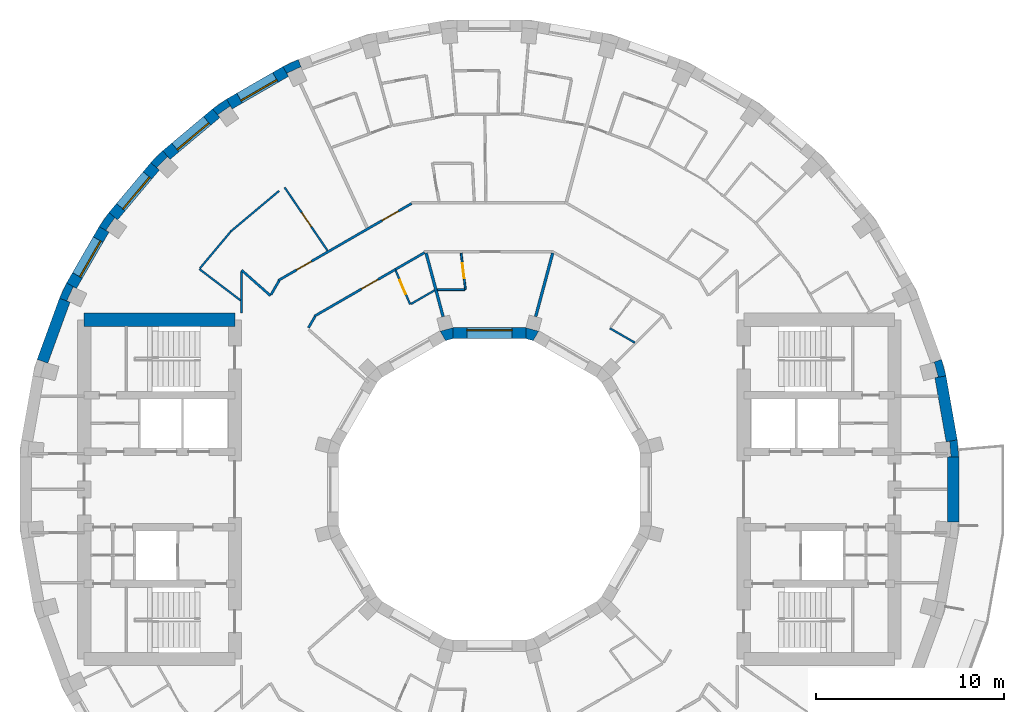
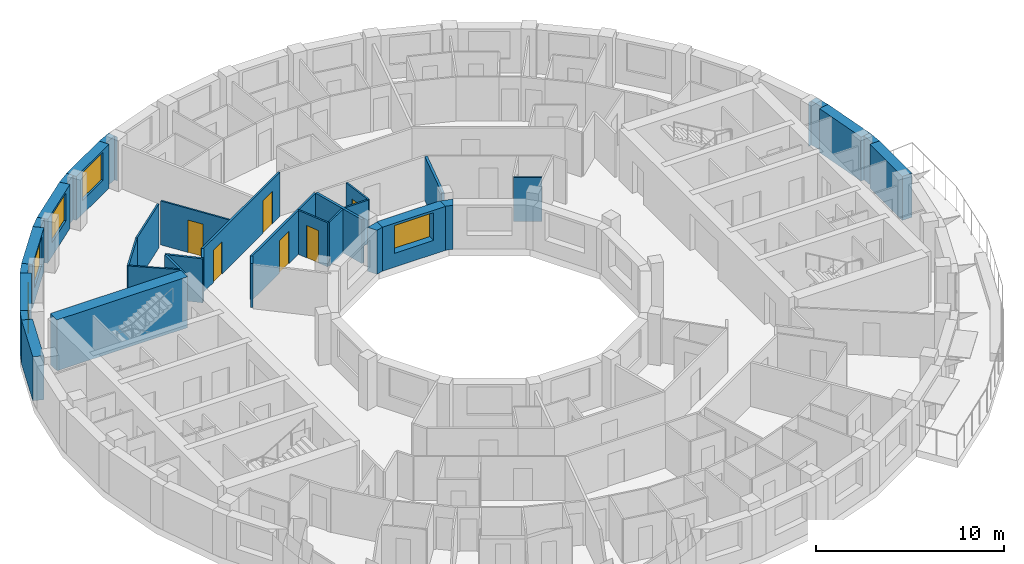
# One storey, part 10 of 14: 36 walls, 6 doors, 5 windows, 11 openings.
"""IFC4 building model written with IfcOpenShell, lengths in metres."""

from ifc_helpers import new_model, si_unit, direction, frame, frame_2d, origin, place, context, subcontext, project, spatial, polyline, rectangle, outline, extrude, material, layer, layer_set, type_object, element, fill, save


model = new_model("IFC4")

# Units and contexts
model_context = context("Model", 3, precision=1e-05, world=origin(), true_north=direction((0.0, 1.0)))
body_context = subcontext(model_context, "Body", "Model", "MODEL_VIEW")
ifc_project = project(units=[si_unit("LENGTHUNIT", "METRE"), si_unit("AREAUNIT", "SQUARE_METRE"), si_unit("VOLUMEUNIT", "CUBIC_METRE"), si_unit("PLANEANGLEUNIT", "RADIAN"), si_unit("MASSUNIT", "GRAM", prefix="KILO")], contexts=[model_context])

# Site, building, storey
site_placement = place(None, origin())
site = spatial("IfcSite", under=ifc_project, at=site_placement, CompositionType="ELEMENT")
building_placement = place(site_placement, origin())
building = spatial("IfcBuilding", under=site, at=building_placement, Name="Saqina Gate Tower", CompositionType="ELEMENT")
storey_placement = place(building_placement, frame((0.0, 0.0, 170.699951171875)))
storey = spatial("IfcBuildingStorey", under=building, at=storey_placement, Name="L48", CompositionType="ELEMENT", Elevation=170.699951171875)

# Walls
ifc_material_1 = material(Name="Brick masonry (buff)", Category="masonry")
wall_type_1 = type_object("IfcWallType", Name="BRICK PIER COPING BUFF", PredefinedType="SOLIDWALL", material=ifc_material_1)
wall_1_placement = place(storey_placement, origin())
element("IfcWall", 1, at=wall_1_placement, inside=storey, type_object=wall_type_1, Name="Pier cap L48 column 1", PredefinedType="SOLIDWALL", context=body_context, shape_type="SweptSolid", body=[
    extrude(outline(polyline([(24.90478515625, 1.724853515625), (24.825927734375, 2.6259765625), (24.235107421875, 2.521728515625), (24.421630859375, 2.5380859375), (24.491455078125, 1.7412109375), (24.304931640625, 1.724853515625), (24.90478515625, 1.724853515625)])), origin(), (0.0, 0.0, 1.0), 2.85009765625),
])
wall_2_placement = place(storey_placement, origin())
element("IfcWall", 2, at=wall_2_placement, inside=storey, type_object=wall_type_1, Name="Pier cap L48 column 2", PredefinedType="SOLIDWALL", context=body_context, shape_type="SweptSolid", body=[
    extrude(outline(polyline([(24.22705078125, 6.0234375), (23.992919921875, 6.897216796875), (23.428955078125, 6.69189453125), (23.610107421875, 6.740478515625), (23.81689453125, 5.967529296875), (23.635986328125, 5.919189453125), (24.22705078125, 6.0234375)])), origin(), (0.0, 0.0, 1.0), 2.85009765625),
])
wall_3_placement = place(storey_placement, origin())
element("IfcWall", 3, at=wall_3_placement, inside=storey, type_object=wall_type_1, Name="Pier cap L48 column 12", PredefinedType="SOLIDWALL", context=body_context, shape_type="SweptSolid", body=[
    extrude(outline(polyline([(-10.958740234375, 22.4306640625), (-10.65869140625, 21.9111328125), (-10.73779296875, 22.080810546875), (-10.0126953125, 22.4189453125), (-9.93359375, 22.249267578125), (-10.138916015625, 22.81298828125), (-10.958740234375, 22.4306640625)])), origin(), (0.0, 0.0, 1.0), 2.85009765625),
])
wall_4_placement = place(storey_placement, origin())
element("IfcWall", 4, at=wall_4_placement, inside=storey, type_object=wall_type_1, Name="Pier cap L48 column 13", PredefinedType="SOLIDWALL", context=body_context, shape_type="SweptSolid", body=[
    extrude(outline(polyline([(-13.9462890625, 20.705810546875), (-14.687255859375, 20.18701171875), (-14.301513671875, 19.727294921875), (-14.408935546875, 19.880859375), (-13.753662109375, 20.339599609375), (-13.646240234375, 20.186279296875), (-13.9462890625, 20.705810546875)])), origin(), (0.0, 0.0, 1.0), 2.85009765625),
])
wall_5_placement = place(storey_placement, origin())
element("IfcWall", 5, at=wall_5_placement, inside=storey, type_object=wall_type_1, Name="Pier cap L48 column 14", PredefinedType="SOLIDWALL", context=body_context, shape_type="SweptSolid", body=[
    extrude(outline(polyline([(-17.969482421875, 17.329833984375), (-17.510009765625, 16.944091796875), (-17.642333984375, 17.07666015625), (-17.07666015625, 17.642333984375), (-16.944091796875, 17.510009765625), (-17.329833984375, 17.969482421875), (-17.969482421875, 17.329833984375)])), origin(), (0.0, 0.0, 1.0), 2.85009765625),
])
wall_6_placement = place(storey_placement, origin())
element("IfcWall", 6, at=wall_6_placement, inside=storey, type_object=wall_type_1, Name="Pier cap L48 column 15", PredefinedType="SOLIDWALL", context=body_context, shape_type="SweptSolid", body=[
    extrude(outline(polyline([(-20.18701171875, 14.687255859375), (-20.705810546875, 13.9462890625), (-20.186279296875, 13.646240234375), (-20.339599609375, 13.753662109375), (-19.880859375, 14.408935546875), (-19.727294921875, 14.301513671875), (-20.18701171875, 14.687255859375)])), origin(), (0.0, 0.0, 1.0), 2.85009765625),
])
wall_7_placement = place(storey_placement, origin())
element("IfcWall", 7, at=wall_7_placement, inside=storey, type_object=wall_type_1, Name="Pier cap L48 column 16", PredefinedType="SOLIDWALL", context=body_context, shape_type="SweptSolid", body=[
    extrude(outline(polyline([(-22.81298828125, 10.138916015625), (-22.249267578125, 9.93359375), (-22.4189453125, 10.0126953125), (-22.080810546875, 10.73779296875), (-21.9111328125, 10.65869140625), (-22.4306640625, 10.958740234375), (-22.81298828125, 10.138916015625)])), origin(), (0.0, 0.0, 1.0), 2.85009765625),
])

# Wall, opening, window
ifc_material_2 = material(Name="Brick masonry (buff)", Category="masonry")
ifc_layer_1 = layer(ifc_material_2, 0.60009765625)
ifc_layer_set_1 = layer_set([ifc_layer_1], Name="FW-BRICK-BUFF")
wall_type_2 = type_object("IfcWallType", Name="FW-BRICK-BUFF", PredefinedType="SOLIDWALL", material=ifc_layer_set_1)
wall_8_placement = place(storey_placement, frame((-10.80859375, 22.1708984375, 0.0), z_axis=(0.0, 0.0, 1.0), x_axis=(-0.86602648383, -0.499998129301, 0.0)))
wall_8 = element("IfcWall", 8, at=wall_8_placement, inside=storey, type_object=wall_type_2, Name="Facade wall L48 facet 12", PredefinedType="SOLIDWALL", context=body_context, shape_type="SweptSolid", body=[
    extrude(rectangle(XDim=3.44970703125, YDim=0.60009765625, at=frame_2d((1.724853515625, 0.0))), origin(), (0.0, 0.0, 1.0), 2.85009765625),
])
opening_1_placement = place(wall_8_placement, frame((0.625, 0.0, 0.89990234375)))
opening_1 = element("IfcOpeningElement", 9, at=opening_1_placement, cuts=wall_8, Name="Opening G14-W10", PredefinedType="OPENING", context=body_context, shape_type="SweptSolid", body=[
    extrude(rectangle(XDim=2.199951171875, YDim=1.800048828125, at=frame_2d((1.10009765625, 0.89990234375))), frame((0.0, 0.31201171875, 0.0), z_axis=(0.0, -1.0, 0.0), x_axis=(1.0, 0.0, 0.0)), (0.0, 0.0, 1.0), 0.6240234375),
])
ifc_material_3 = material(Name="Aluminium glazing", Category="aluminium")
window_type_1 = type_object("IfcWindowType", Name="WN-C", PartitioningType="SINGLE_PANEL", PredefinedType="WINDOW", material=ifc_material_3)
window_1_placement = place(opening_1_placement, origin())
window_1 = element("IfcWindow", 10, at=window_1_placement, inside=storey, type_object=window_type_1, Name="Window L48 facet 12", OverallHeight=1.800048828125, OverallWidth=2.199951171875, PartitioningType="SINGLE_PANEL", PredefinedType="WINDOW", context=body_context, shape_type="SweptSolid", body=[
    extrude(rectangle(XDim=2.199951171875, YDim=1.800048828125, at=frame_2d((1.10009765625, 0.89990234375))), frame((0.0, 0.179931640625, 0.0), z_axis=(0.0, -1.0, 0.0), x_axis=(1.0, 0.0, 0.0)), (0.0, 0.0, 1.0), 0.06005859375),
])
fill(opening_1, window_1)

wall_9_placement = place(storey_placement, frame((-14.494384765625, 19.95703125, 0.0), z_axis=(0.0, 0.0, 1.0), x_axis=(-0.766058884809, -0.642770398358, 0.0)))
wall_9 = element("IfcWall", 11, at=wall_9_placement, inside=storey, type_object=wall_type_2, Name="Facade wall L48 facet 13", PredefinedType="SOLIDWALL", context=body_context, shape_type="SweptSolid", body=[
    extrude(rectangle(XDim=3.449462890625, YDim=0.60009765625, at=frame_2d((1.724609375, 0.0))), origin(), (0.0, 0.0, 1.0), 2.85009765625),
])
opening_2_placement = place(wall_9_placement, frame((0.625, 0.0, 0.89990234375)))
opening_2 = element("IfcOpeningElement", 12, at=opening_2_placement, cuts=wall_9, Name="Opening G14-W11", PredefinedType="OPENING", context=body_context, shape_type="SweptSolid", body=[
    extrude(rectangle(XDim=2.199951171875, YDim=1.800048828125, at=frame_2d((1.10009765625, 0.89990234375))), frame((0.0, 0.31201171875, 0.0), z_axis=(0.0, -1.0, 0.0), x_axis=(1.0, 0.0, 0.0)), (0.0, 0.0, 1.0), 0.6240234375),
])
window_2_placement = place(opening_2_placement, origin())
window_2 = element("IfcWindow", 13, at=window_2_placement, inside=storey, type_object=window_type_1, Name="Window L48 facet 13", OverallHeight=1.800048828125, OverallWidth=2.199951171875, PartitioningType="SINGLE_PANEL", PredefinedType="WINDOW", context=body_context, shape_type="SweptSolid", body=[
    extrude(rectangle(XDim=2.199951171875, YDim=1.800048828125, at=frame_2d((1.10009765625, 0.89990234375))), frame((0.0, 0.179931640625, 0.0), z_axis=(0.0, -1.0, 0.0), x_axis=(1.0, 0.0, 0.0)), (0.0, 0.0, 1.0), 0.06005859375),
])
fill(opening_2, window_2)

wall_10_placement = place(storey_placement, frame((-17.73974609375, 17.136962890625, 0.0), z_axis=(0.0, 0.0, 1.0), x_axis=(-0.642770398358, -0.766058884809, 0.0)))
wall_10 = element("IfcWall", 14, at=wall_10_placement, inside=storey, type_object=wall_type_2, Name="Facade wall L48 facet 14", PredefinedType="SOLIDWALL", context=body_context, shape_type="SweptSolid", body=[
    extrude(rectangle(XDim=3.449462890625, YDim=0.60009765625, at=frame_2d((1.724609375, 0.0))), origin(), (0.0, 0.0, 1.0), 2.85009765625),
])
opening_3_placement = place(wall_10_placement, frame((0.625, 0.0, 0.89990234375)))
opening_3 = element("IfcOpeningElement", 15, at=opening_3_placement, cuts=wall_10, Name="Opening G14-W12", PredefinedType="OPENING", context=body_context, shape_type="SweptSolid", body=[
    extrude(rectangle(XDim=2.199951171875, YDim=1.800048828125, at=frame_2d((1.10009765625, 0.89990234375))), frame((0.0, 0.31201171875, 0.0), z_axis=(0.0, -1.0, 0.0), x_axis=(1.0, 0.0, 0.0)), (0.0, 0.0, 1.0), 0.6240234375),
])
window_3_placement = place(opening_3_placement, origin())
window_3 = element("IfcWindow", 16, at=window_3_placement, inside=storey, type_object=window_type_1, Name="Window L48 facet 14", OverallHeight=1.800048828125, OverallWidth=2.199951171875, PartitioningType="SINGLE_PANEL", PredefinedType="WINDOW", context=body_context, shape_type="SweptSolid", body=[
    extrude(rectangle(XDim=2.199951171875, YDim=1.800048828125, at=frame_2d((1.10009765625, 0.89990234375))), frame((0.0, 0.179931640625, 0.0), z_axis=(0.0, -1.0, 0.0), x_axis=(1.0, 0.0, 0.0)), (0.0, 0.0, 1.0), 0.06005859375),
])
fill(opening_3, window_3)

wall_11_placement = place(storey_placement, frame((-20.446044921875, 13.796142578125, 0.0), z_axis=(0.0, 0.0, 1.0), x_axis=(-0.499998129301, -0.86602648383, 0.0)))
wall_11 = element("IfcWall", 17, at=wall_11_placement, inside=storey, type_object=wall_type_2, Name="Facade wall L48 facet 15", PredefinedType="SOLIDWALL", context=body_context, shape_type="SweptSolid", body=[
    extrude(rectangle(XDim=3.44970703125, YDim=0.60009765625, at=frame_2d((1.724853515625, 0.0))), origin(), (0.0, 0.0, 1.0), 2.85009765625),
])
opening_4_placement = place(wall_11_placement, frame((0.625, 0.0, 0.89990234375)))
opening_4 = element("IfcOpeningElement", 18, at=opening_4_placement, cuts=wall_11, Name="Opening G14-W13", PredefinedType="OPENING", context=body_context, shape_type="SweptSolid", body=[
    extrude(rectangle(XDim=2.199951171875, YDim=1.800048828125, at=frame_2d((1.10009765625, 0.89990234375))), frame((0.0, 0.31201171875, 0.0), z_axis=(0.0, -1.0, 0.0), x_axis=(1.0, 0.0, 0.0)), (0.0, 0.0, 1.0), 0.6240234375),
])
window_4_placement = place(opening_4_placement, origin())
window_4 = element("IfcWindow", 19, at=window_4_placement, inside=storey, type_object=window_type_1, Name="Window L48 facet 15", OverallHeight=1.800048828125, OverallWidth=2.199951171875, PartitioningType="SINGLE_PANEL", PredefinedType="WINDOW", context=body_context, shape_type="SweptSolid", body=[
    extrude(rectangle(XDim=2.199951171875, YDim=1.800048828125, at=frame_2d((1.10009765625, 0.89990234375))), frame((0.0, 0.179931640625, 0.0), z_axis=(0.0, -1.0, 0.0), x_axis=(1.0, 0.0, 0.0)), (0.0, 0.0, 1.0), 0.06005859375),
])
fill(opening_4, window_4)

# Walls
ifc_material_4 = material(Name="Glazed ceramic tile", Category="ceramic")
ifc_layer_2 = layer(ifc_material_4, 0.60009765625)
ifc_layer_set_2 = layer_set([ifc_layer_2], Name="FW-TILE")
wall_type_3 = type_object("IfcWallType", Name="FW-TILE", PredefinedType="SOLIDWALL", material=ifc_layer_set_2)
wall_12_placement = place(storey_placement, frame((24.530517578125, 2.573974609375, 0.0), z_axis=(0.0, 0.0, 1.0), x_axis=(-0.173607684551, 0.984814892183, 0.0)))
element("IfcWall", 20, at=wall_12_placement, inside=storey, type_object=wall_type_3, Name="Facade wall L48 facet 1", PredefinedType="SOLIDWALL", context=body_context, shape_type="SweptSolid", body=[
    extrude(rectangle(XDim=3.44970703125, YDim=0.60009765625, at=frame_2d((1.724853515625, 0.0))), origin(), (0.0, 0.0, 1.0), 2.85009765625),
])
ifc_material_5 = material(Name="Glazed ceramic tile (white)", Category="ceramic")
ifc_layer_3 = layer(ifc_material_5, 0.60009765625)
ifc_layer_set_3 = layer_set([ifc_layer_3], Name="FW-TILE-WH")
wall_type_4 = type_object("IfcWallType", Name="FW-TILE-WH", PredefinedType="SOLIDWALL", material=ifc_layer_set_3)
for number, where, z_axis, x_axis, name in (
    (21, (-22.531005859375, 10.0361328125, 0.0), (0.0, 0.0, 1.0), (-0.342032843455, -0.93968799822, 0.0), "Facade wall L48 facet 16"),
    (22, (24.60498046875, -1.724853515625, 0.0), (0.0, 0.0, 1.0), (0.0, 1.0, 0.0), "Facade wall L48 facet 36"),
):
    element("IfcWall", number, at=place(storey_placement, frame(where, z_axis=z_axis, x_axis=x_axis)), inside=storey, type_object=wall_type_4, Name=name, PredefinedType="SOLIDWALL", context=body_context, shape_type="SweptSolid", body=[
        extrude(rectangle(XDim=3.44970703125, YDim=0.60009765625, at=frame_2d((1.724853515625, 0.0))), origin(), (0.0, 0.0, 1.0), 2.85009765625),
    ])

# Wall, opening, window
ifc_material_6 = material(Name="Glazed ceramic tile", Category="ceramic")
ifc_layer_4 = layer(ifc_material_6, 0.60009765625)
ifc_layer_set_4 = layer_set([ifc_layer_4], Name="IW-TILE")
wall_type_5 = type_object("IfcWallType", Name="IW-TILE", PredefinedType="SOLIDWALL", material=ifc_layer_set_4)
wall_13_placement = place(storey_placement, frame((1.934814453125, 8.300048828125, 0.0), z_axis=(0.0, 0.0, 1.0), x_axis=(-1.0, 0.0, 0.0)))
wall_13 = element("IfcWall", 23, at=wall_13_placement, inside=storey, type_object=wall_type_5, Name="Well wall L48 facet 3", PredefinedType="SOLIDWALL", context=body_context, shape_type="SweptSolid", body=[
    extrude(rectangle(XDim=3.86962890625, YDim=0.60009765625, at=frame_2d((1.934814453125, 0.0))), origin(), (0.0, 0.0, 1.0), 2.85009765625),
])
opening_5_placement = place(wall_13_placement, frame((0.73486328125, 0.0, 0.89990234375)))
opening_5 = element("IfcOpeningElement", 24, at=opening_5_placement, cuts=wall_13, Name="Opening G14-W26", PredefinedType="OPENING", context=body_context, shape_type="SweptSolid", body=[
    extrude(rectangle(XDim=2.39990234375, YDim=1.800048828125, at=frame_2d((1.199951171875, 0.89990234375))), frame((0.0, 0.31201171875, 0.0), z_axis=(0.0, -1.0, 0.0), x_axis=(1.0, 0.0, 0.0)), (0.0, 0.0, 1.0), 0.6240234375),
])
ifc_material_7 = material(Name="Aluminium glazing", Category="aluminium")
window_type_2 = type_object("IfcWindowType", Name="WN-W", PartitioningType="SINGLE_PANEL", PredefinedType="WINDOW", material=ifc_material_7)
window_5_placement = place(opening_5_placement, origin())
window_5 = element("IfcWindow", 25, at=window_5_placement, inside=storey, type_object=window_type_2, Name="Well window L48 facet 3", OverallHeight=1.800048828125, OverallWidth=2.39990234375, PartitioningType="SINGLE_PANEL", PredefinedType="WINDOW", context=body_context, shape_type="SweptSolid", body=[
    extrude(rectangle(XDim=2.39990234375, YDim=1.800048828125, at=frame_2d((1.199951171875, 0.89990234375))), frame((0.0, -0.119873046875, 0.0), z_axis=(0.0, -1.0, 0.0), x_axis=(1.0, 0.0, 0.0)), (0.0, 0.0, 1.0), 0.06005859375),
])
fill(opening_5, window_5)

# Wall, opening, door
ifc_material_8 = material(Name="Gypsum board on steel studs, 100 mm", Category="steel")
ifc_layer_5 = layer(ifc_material_8, 0.10009765625)
ifc_layer_set_5 = layer_set([ifc_layer_5], Name="PARTITION 100")
wall_type_6 = type_object("IfcWallType", Name="PARTITION 100", PredefinedType="PARTITIONING", material=ifc_layer_set_5)
wall_14_placement = place(storey_placement, frame((-1.49853515625, 12.537841796875, 0.0), z_axis=(0.0, 0.0, 1.0), x_axis=(0.118597630283, -0.99294239616, 0.0)))
wall_14 = element("IfcWall", 26, at=wall_14_placement, inside=storey, type_object=wall_type_6, Name="PARTITION PW3-06", PredefinedType="PARTITIONING", context=body_context, shape_type="SweptSolid", body=[
    extrude(rectangle(XDim=1.951416015625, YDim=0.10009765625, at=frame_2d((0.9755859375, 0.0))), origin(), (0.0, 0.0, 1.0), 2.85009765625),
])
opening_6_placement = place(wall_14_placement, frame((0.544677734375, 0.0, 0.0)))
opening_6 = element("IfcOpeningElement", 27, at=opening_6_placement, cuts=wall_14, Name="Opening G14-D20", PredefinedType="OPENING", context=body_context, shape_type="SweptSolid", body=[
    extrude(rectangle(XDim=0.800048828125, YDim=2.10009765625, at=frame_2d((0.39990234375, 1.050048828125))), frame((0.0, 0.06201171875, 0.0), z_axis=(0.0, -1.0, 0.0), x_axis=(1.0, 0.0, 0.0)), (0.0, 0.0, 1.0), 0.1240234375),
])
ifc_material_9 = material(Name="Timber door leaf, 800 mm", Category="wood")
door_type_1 = type_object("IfcDoorType", Name="DOOR 800 TIMBER", OperationType="SINGLE_SWING_LEFT", PredefinedType="DOOR", material=ifc_material_9)
door_1_placement = place(opening_6_placement, origin())
door_1 = element("IfcDoor", 28, at=door_1_placement, inside=storey, type_object=door_type_1, Name="DOOR G14-D20", OperationType="SINGLE_SWING_LEFT", OverallHeight=2.10009765625, OverallWidth=0.800048828125, PredefinedType="DOOR", context=body_context, shape_type="SweptSolid", body=[
    extrude(rectangle(XDim=0.800048828125, YDim=2.10009765625, at=frame_2d((0.39990234375, 1.050048828125))), frame((0.0, 0.02490234375, 0.0), z_axis=(0.0, -1.0, 0.0), x_axis=(1.0, 0.0, 0.0)), (0.0, 0.0, 1.0), 0.050048828125),
])
fill(opening_6, door_1)

wall_15_placement = place(storey_placement, frame((-4.971435546875, 11.607421875, 0.0), z_axis=(0.0, 0.0, 1.0), x_axis=(0.393707969646, -0.919235570807, 0.0)))
wall_15 = element("IfcWall", 29, at=wall_15_placement, inside=storey, type_object=wall_type_6, Name="PARTITION PW3-17", PredefinedType="PARTITIONING", context=body_context, shape_type="SweptSolid", body=[
    extrude(rectangle(XDim=1.9521484375, YDim=0.10009765625, at=frame_2d((0.97607421875, 0.0))), origin(), (0.0, 0.0, 1.0), 2.85009765625),
])
opening_7_placement = place(wall_15_placement, frame((0.544677734375, 0.0, 0.0)))
opening_7 = element("IfcOpeningElement", 30, at=opening_7_placement, cuts=wall_15, Name="Opening G14-D27", PredefinedType="OPENING", context=body_context, shape_type="SweptSolid", body=[
    extrude(rectangle(XDim=0.800048828125, YDim=2.10009765625, at=frame_2d((0.39990234375, 1.050048828125))), frame((0.0, 0.06201171875, 0.0), z_axis=(0.0, -1.0, 0.0), x_axis=(1.0, 0.0, 0.0)), (0.0, 0.0, 1.0), 0.1240234375),
])
door_2_placement = place(opening_7_placement, frame((0.800048828125, 0.0, 0.0), z_axis=(0.0, 0.0, 1.0), x_axis=(-1.0, 0.0, 0.0)))
door_2 = element("IfcDoor", 31, at=door_2_placement, inside=storey, type_object=door_type_1, Name="DOOR G14-D27", OperationType="SINGLE_SWING_RIGHT", OverallHeight=2.10009765625, OverallWidth=0.800048828125, PredefinedType="DOOR", context=body_context, shape_type="SweptSolid", body=[
    extrude(rectangle(XDim=0.800048828125, YDim=2.10009765625, at=frame_2d((0.39990234375, 1.050048828125))), frame((0.0, 0.02490234375, 0.0), z_axis=(0.0, -1.0, 0.0), x_axis=(1.0, 0.0, 0.0)), (0.0, 0.0, 1.0), 0.050048828125),
])
fill(opening_7, door_2)

wall_16_placement = place(storey_placement, frame((-10.862060546875, 16.02001953125, 0.0), z_axis=(0.0, 0.0, 1.0), x_axis=(0.5612995905, -0.827612693054, 0.0)))
wall_16 = element("IfcWall", 32, at=wall_16_placement, inside=storey, type_object=wall_type_6, Name="PARTITION PW3-24", PredefinedType="PARTITIONING", context=body_context, shape_type="SweptSolid", body=[
    extrude(rectangle(XDim=4.052978515625, YDim=0.10009765625, at=frame_2d((2.0263671875, 0.0))), origin(), (0.0, 0.0, 1.0), 2.85009765625),
])
opening_8_placement = place(wall_16_placement, frame((1.607666015625, 0.0, 0.0)))
opening_8 = element("IfcOpeningElement", 33, at=opening_8_placement, cuts=wall_16, Name="Opening G14-D29", PredefinedType="OPENING", context=body_context, shape_type="SweptSolid", body=[
    extrude(rectangle(XDim=0.89990234375, YDim=2.10009765625, at=frame_2d((0.449951171875, 1.050048828125))), frame((0.0, 0.06201171875, 0.0), z_axis=(0.0, -1.0, 0.0), x_axis=(1.0, 0.0, 0.0)), (0.0, 0.0, 1.0), 0.1240234375),
])
ifc_material_10 = material(Name="Timber door leaf, 900 mm", Category="wood")
door_type_2 = type_object("IfcDoorType", Name="DOOR 900 TIMBER", OperationType="SINGLE_SWING_LEFT", PredefinedType="DOOR", material=ifc_material_10)
door_3_placement = place(opening_8_placement, origin())
door_3 = element("IfcDoor", 34, at=door_3_placement, inside=storey, type_object=door_type_2, Name="DOOR G14-D29", OperationType="SINGLE_SWING_RIGHT", OverallHeight=2.10009765625, OverallWidth=0.89990234375, PredefinedType="DOOR", context=body_context, shape_type="SweptSolid", body=[
    extrude(rectangle(XDim=0.89990234375, YDim=2.10009765625, at=frame_2d((0.449951171875, 1.050048828125))), frame((0.0, 0.02490234375, 0.0), z_axis=(0.0, -1.0, 0.0), x_axis=(1.0, 0.0, 0.0)), (0.0, 0.0, 1.0), 0.050048828125),
])
fill(opening_8, door_3)

# Walls
wall_17_placement = place(storey_placement, frame((-15.389892578125, 11.69091796875, 0.0), z_axis=(0.0, 0.0, 1.0), x_axis=(0.796245993269, -0.604972989647, 0.0)))
element("IfcWall", 35, at=wall_17_placement, inside=storey, type_object=wall_type_6, Name="PARTITION PW3-32", PredefinedType="PARTITIONING", context=body_context, shape_type="SweptSolid", body=[
    extrude(rectangle(XDim=2.750732421875, YDim=0.10009765625, at=frame_2d((1.37548828125, 0.0))), origin(), (0.0, 0.0, 1.0), 2.85009765625),
])
wall_18_placement = place(storey_placement, frame((6.39697265625, 8.5458984375, 0.0), z_axis=(0.0, 0.0, 1.0), x_axis=(0.866313615635, -0.499500469836, 0.0)))
element("IfcWall", 36, at=wall_18_placement, inside=storey, type_object=wall_type_6, Name="PARTITION PW3-39", PredefinedType="PARTITIONING", context=body_context, shape_type="SweptSolid", body=[
    extrude(rectangle(XDim=1.5234375, YDim=0.10009765625, at=frame_2d((0.76171875, 0.0))), origin(), (0.0, 0.0, 1.0), 2.85009765625),
])
wall_19_placement = place(storey_placement, frame((-2.764892578125, 10.60009765625, 0.0), z_axis=(0.0, 0.0, 1.0), x_axis=(1.0, 0.0, 0.0)))
element("IfcWall", 37, at=wall_19_placement, inside=storey, type_object=wall_type_6, Name="PARTITION PW3-54", PredefinedType="PARTITIONING", context=body_context, shape_type="SweptSolid", body=[
    extrude(rectangle(XDim=1.447998046875, YDim=0.10009765625, at=frame_2d((0.72412109375, 0.0))), origin(), (0.0, 0.0, 1.0), 2.85009765625),
])
wall_20_placement = place(storey_placement, frame((-4.15966796875, 9.837890625, 0.0), z_axis=(0.0, 0.0, 1.0), x_axis=(0.865952650684, 0.500125990899, 0.0)))
element("IfcWall", 38, at=wall_20_placement, inside=storey, type_object=wall_type_6, Name="PARTITION PW3-71", PredefinedType="PARTITIONING", context=body_context, shape_type="SweptSolid", body=[
    extrude(rectangle(XDim=1.448974609375, YDim=0.10009765625, at=frame_2d((0.724609375, 0.0))), origin(), (0.0, 0.0, 1.0), 2.85009765625),
])
wall_21_placement = place(storey_placement, frame((-13.741943359375, 13.67041015625, 0.0), z_axis=(0.0, 0.0, 1.0), x_axis=(0.766150226106, 0.642661521361, 0.0)))
element("IfcWall", 39, at=wall_21_placement, inside=storey, type_object=wall_type_6, Name="PARTITION PW3-77", PredefinedType="PARTITIONING", context=body_context, shape_type="SweptSolid", body=[
    extrude(rectangle(XDim=3.378662109375, YDim=0.10009765625, at=frame_2d((1.689453125, 0.0))), origin(), (0.0, 0.0, 1.0), 2.85009765625),
])
wall_22_placement = place(storey_placement, frame((-15.35693359375, 11.731201171875, 0.0), z_axis=(0.0, 0.0, 1.0), x_axis=(0.64263607703, 0.76617156858, 0.0)))
element("IfcWall", 40, at=wall_22_placement, inside=storey, type_object=wall_type_6, Name="PARTITION PW3-82", PredefinedType="PARTITIONING", context=body_context, shape_type="SweptSolid", body=[
    extrude(rectangle(XDim=2.523681640625, YDim=0.10009765625, at=frame_2d((1.26171875, 0.0))), origin(), (0.0, 0.0, 1.0), 2.85009765625),
])
ifc_material_11 = material(Name="Gypsum board on steel studs, 125 mm, fire rated", Category="steel")
ifc_layer_6 = layer(ifc_material_11, 0.125)
ifc_layer_set_6 = layer_set([ifc_layer_6], Name="PARTITION EI 30 125")
wall_type_7 = type_object("IfcWallType", Name="PARTITION EI 30 125", PredefinedType="PARTITIONING", material=ifc_layer_set_6)
wall_23_placement = place(storey_placement, frame((-13.14990234375, 11.634033203125, 0.0), z_axis=(0.0, 0.0, 1.0), x_axis=(0.74902616167, -0.662540420754, 0.0)))
element("IfcWall", 41, at=wall_23_placement, inside=storey, type_object=wall_type_7, Name="PARTITION PW1-10", PredefinedType="PARTITIONING", context=body_context, shape_type="SweptSolid", body=[
    extrude(rectangle(XDim=2.046630859375, YDim=0.125, at=frame_2d((1.0234375, 0.0))), origin(), (0.0, 0.0, 1.0), 2.85009765625),
])

# Wall, opening, door
wall_24_placement = place(storey_placement, frame((-9.28662109375, 9.18798828125, 0.0), z_axis=(0.0, 0.0, 1.0), x_axis=(0.866054867757, 0.499948963429, 0.0)))
wall_24 = element("IfcWall", 42, at=wall_24_placement, inside=storey, type_object=wall_type_7, Name="PARTITION PW1-39", PredefinedType="PARTITIONING", context=body_context, shape_type="SweptSolid", body=[
    extrude(rectangle(XDim=4.97607421875, YDim=0.125, at=frame_2d((2.488037109375, 0.0))), origin(), (0.0, 0.0, 1.0), 2.85009765625),
])
opening_9_placement = place(wall_24_placement, frame((2.897705078125, 0.0, 0.0)))
opening_9 = element("IfcOpeningElement", 43, at=opening_9_placement, cuts=wall_24, Name="Opening G14-D28", PredefinedType="OPENING", context=body_context, shape_type="SweptSolid", body=[
    extrude(rectangle(XDim=1.0, YDim=2.10009765625, at=frame_2d((0.5, 1.050048828125))), frame((0.0, 0.074462890625, 0.0), z_axis=(0.0, -1.0, 0.0), x_axis=(1.0, 0.0, 0.0)), (0.0, 0.0, 1.0), 0.14892578125),
])
ifc_material_12 = material(Name="Fire door leaf EI 30, 1000 mm")
door_type_3 = type_object("IfcDoorType", Name="DOOR 1000 EI 30", OperationType="SINGLE_SWING_LEFT", PredefinedType="DOOR", material=ifc_material_12)
door_4_placement = place(opening_9_placement, frame((1.0, 0.0, 0.0), z_axis=(0.0, 0.0, 1.0), x_axis=(-1.0, 0.0, 0.0)))
door_4 = element("IfcDoor", 44, at=door_4_placement, inside=storey, type_object=door_type_3, Name="DOOR G14-D28", OperationType="SINGLE_SWING_LEFT", OverallHeight=2.10009765625, OverallWidth=1.0, PredefinedType="DOOR", context=body_context, shape_type="SweptSolid", body=[
    extrude(rectangle(XDim=1.0, YDim=2.10009765625, at=frame_2d((0.5, 1.050048828125))), frame((0.0, 0.02490234375, 0.0), z_axis=(0.0, -1.0, 0.0), x_axis=(1.0, 0.0, 0.0)), (0.0, 0.0, 1.0), 0.050048828125),
])
fill(opening_9, door_4)

# Wall
wall_25_placement = place(storey_placement, frame((-4.97705078125, 11.67578125, 0.0), z_axis=(0.0, 0.0, 1.0), x_axis=(0.866066400931, 0.499928984136, 0.0)))
element("IfcWall", 45, at=wall_25_placement, inside=storey, type_object=wall_type_7, Name="PARTITION PW1-40", PredefinedType="PARTITIONING", context=body_context, shape_type="SweptSolid", body=[
    extrude(rectangle(XDim=1.773681640625, YDim=0.125, at=frame_2d((0.88671875, 0.0))), origin(), (0.0, 0.0, 1.0), 2.85009765625),
])

# Wall, openings, doors
wall_26_placement = place(storey_placement, frame((-11.189453125, 11.0908203125, 0.0), z_axis=(0.0, 0.0, 1.0), x_axis=(0.865999621737, 0.500044653157, 0.0)))
wall_26 = element("IfcWall", 46, at=wall_26_placement, inside=storey, type_object=wall_type_7, Name="PARTITION PW1-41", PredefinedType="PARTITIONING", context=body_context, shape_type="SweptSolid", body=[
    extrude(rectangle(XDim=8.155029296875, YDim=0.125, at=frame_2d((4.07763671875, 0.0))), origin(), (0.0, 0.0, 1.0), 2.85009765625),
])
opening_10_placement = place(wall_26_placement, frame((6.346435546875, 0.0, 0.0)))
opening_10 = element("IfcOpeningElement", 47, at=opening_10_placement, cuts=wall_26, Name="Opening G14-D25", PredefinedType="OPENING", context=body_context, shape_type="SweptSolid", body=[
    extrude(rectangle(XDim=1.0, YDim=2.10009765625, at=frame_2d((0.5, 1.050048828125))), frame((0.0, 0.074462890625, 0.0), z_axis=(0.0, -1.0, 0.0), x_axis=(1.0, 0.0, 0.0)), (0.0, 0.0, 1.0), 0.14892578125),
])
opening_11_placement = place(wall_26_placement, frame((1.10888671875, 0.0, 0.0)))
opening_11 = element("IfcOpeningElement", 48, at=opening_11_placement, cuts=wall_26, Name="Opening G14-D30", PredefinedType="OPENING", context=body_context, shape_type="SweptSolid", body=[
    extrude(rectangle(XDim=0.89990234375, YDim=2.10009765625, at=frame_2d((0.449951171875, 1.050048828125))), frame((0.0, 0.074462890625, 0.0), z_axis=(0.0, -1.0, 0.0), x_axis=(1.0, 0.0, 0.0)), (0.0, 0.0, 1.0), 0.14892578125),
])
door_5_placement = place(opening_10_placement, origin())
door_5 = element("IfcDoor", 49, at=door_5_placement, inside=storey, type_object=door_type_3, Name="DOOR G14-D25", OperationType="SINGLE_SWING_RIGHT", OverallHeight=2.10009765625, OverallWidth=1.0, PredefinedType="DOOR", context=body_context, shape_type="SweptSolid", body=[
    extrude(rectangle(XDim=1.0, YDim=2.10009765625, at=frame_2d((0.5, 1.050048828125))), frame((0.0, 0.02490234375, 0.0), z_axis=(0.0, -1.0, 0.0), x_axis=(1.0, 0.0, 0.0)), (0.0, 0.0, 1.0), 0.050048828125),
])
fill(opening_10, door_5)
ifc_material_13 = material(Name="Fire door leaf EI 30, 900 mm")
door_type_4 = type_object("IfcDoorType", Name="DOOR 900 EI 30", OperationType="SINGLE_SWING_LEFT", PredefinedType="DOOR", material=ifc_material_13)
door_6_placement = place(opening_11_placement, origin())
door_6 = element("IfcDoor", 50, at=door_6_placement, inside=storey, type_object=door_type_4, Name="DOOR G14-D30", OperationType="SINGLE_SWING_LEFT", OverallHeight=2.10009765625, OverallWidth=0.89990234375, PredefinedType="DOOR", context=body_context, shape_type="SweptSolid", body=[
    extrude(rectangle(XDim=0.89990234375, YDim=2.10009765625, at=frame_2d((0.449951171875, 1.050048828125))), frame((0.0, 0.02490234375, 0.0), z_axis=(0.0, -1.0, 0.0), x_axis=(1.0, 0.0, 0.0)), (0.0, 0.0, 1.0), 0.050048828125),
])
fill(opening_11, door_6)

# Walls
wall_27_placement = place(storey_placement, frame((-9.598876953125, 8.57421875, 0.0), z_axis=(0.0, 0.0, 1.0), x_axis=(0.499804398801, 0.866138304741, 0.0)))
element("IfcWall", 51, at=wall_27_placement, inside=storey, type_object=wall_type_7, Name="PARTITION PW1-47", PredefinedType="PARTITIONING", context=body_context, shape_type="SweptSolid", body=[
    extrude(rectangle(XDim=0.687744140625, YDim=0.125, at=frame_2d((0.34375, 0.0))), origin(), (0.0, 0.0, 1.0), 2.85009765625),
])
wall_28_placement = place(storey_placement, frame((-11.585693359375, 10.33203125, 0.0), z_axis=(0.0, 0.0, 1.0), x_axis=(0.499854250852, 0.866109535743, 0.0)))
element("IfcWall", 52, at=wall_28_placement, inside=storey, type_object=wall_type_7, Name="PARTITION PW1-48", PredefinedType="PARTITIONING", context=body_context, shape_type="SweptSolid", body=[
    extrude(rectangle(XDim=0.855224609375, YDim=0.125, at=frame_2d((0.427734375, 0.0))), origin(), (0.0, 0.0, 1.0), 2.85009765625),
])
wall_29_placement = place(storey_placement, frame((-13.14990234375, 9.35009765625, 0.0), z_axis=(0.0, 0.0, 1.0), x_axis=(0.0, 1.0, 0.0)))
element("IfcWall", 53, at=wall_29_placement, inside=storey, type_object=wall_type_7, Name="PARTITION PW1-52", PredefinedType="PARTITIONING", context=body_context, shape_type="SweptSolid", body=[
    extrude(rectangle(XDim=2.221435546875, YDim=0.125, at=frame_2d((1.11083984375, 0.0))), origin(), (0.0, 0.0, 1.0), 2.85009765625),
])
ifc_material_14 = material(Name="Gypsum board on steel studs, 150 mm, fire rated", Category="steel")
ifc_layer_7 = layer(ifc_material_14, 0.14990234375)
ifc_layer_set_7 = layer_set([ifc_layer_7], Name="PARTITION EI 60 150")
wall_type_8 = type_object("IfcWallType", Name="PARTITION EI 60 150", PredefinedType="PARTITIONING", material=ifc_layer_set_7)
for number, where, z_axis, x_axis, name in (
    (54, (-3.358642578125, 12.5400390625, 0.0), (0.0, 0.0, 1.0), (0.258289617132, -0.966067530601, 0.0), "PARTITION PW2-01"),
    (55, (2.45703125, 9.168701171875, 0.0), (0.0, 0.0, 1.0), (0.258716268746, 0.96595335927, 0.0), "PARTITION PW2-07"),
):
    element("IfcWall", number, at=place(storey_placement, frame(where, z_axis=z_axis, x_axis=x_axis)), inside=storey, type_object=wall_type_8, Name=name, PredefinedType="PARTITIONING", context=body_context, shape_type="SweptSolid", body=[
        extrude(rectangle(XDim=3.48974609375, YDim=0.14990234375, at=frame_2d((1.744873046875, 0.0))), origin(), (0.0, 0.0, 1.0), 2.85009765625),
    ])
ifc_material_15 = material(Name="Concrete C60/75", Category="concrete")
ifc_layer_8 = layer(ifc_material_15, 0.699951171875)
ifc_layer_set_8 = layer_set([ifc_layer_8], Name="Concrete C60/75")
wall_type_9 = type_object("IfcWallType", Name="STR-CORE WALL-C-O", PredefinedType="SHEAR", material=ifc_layer_set_8)
wall_30_placement = place(storey_placement, frame((-13.5, 9.0, 0.0), z_axis=(0.0, 0.0, 1.0), x_axis=(-1.0, 0.0, 0.0)))
element("IfcWall", 56, at=wall_30_placement, inside=storey, type_object=wall_type_9, Name="CORE WALL L48 W-NE", PredefinedType="SHEAR", context=body_context, shape_type="SweptSolid", body=[
    extrude(rectangle(XDim=8.0, YDim=0.699951171875, at=frame_2d((4.0, 0.0))), origin(), (0.0, 0.0, 1.0), 3.300048828125),
])
ifc_material_16 = material(Name="Glazed ceramic tile", Category="ceramic")
wall_type_10 = type_object("IfcWallType", Name="TILE PIER COPING", PredefinedType="SOLIDWALL", material=ifc_material_16)
wall_31_placement = place(storey_placement, origin())
element("IfcWall", 57, at=wall_31_placement, inside=storey, type_object=wall_type_10, Name="Well pier cap L48 column 3", PredefinedType="SOLIDWALL", context=body_context, shape_type="SweptSolid", body=[
    extrude(outline(polyline([(1.934814453125, 8.573486328125), (1.934814453125, 8.0), (2.32421875, 7.895751953125), (2.611083984375, 8.392333984375), (1.934814453125, 8.573486328125)])), origin(), (0.0, 0.0, 1.0), 2.85009765625),
])
wall_32_placement = place(storey_placement, origin())
element("IfcWall", 58, at=wall_32_placement, inside=storey, type_object=wall_type_10, Name="Well pier cap L48 column 4", PredefinedType="SOLIDWALL", context=body_context, shape_type="SweptSolid", body=[
    extrude(outline(polyline([(-1.934814453125, 8.0), (-1.934814453125, 8.573486328125), (-2.611083984375, 8.392333984375), (-2.32421875, 7.895751953125), (-1.934814453125, 8.0)])), origin(), (0.0, 0.0, 1.0), 2.85009765625),
])

save(model, "model.ifc")
